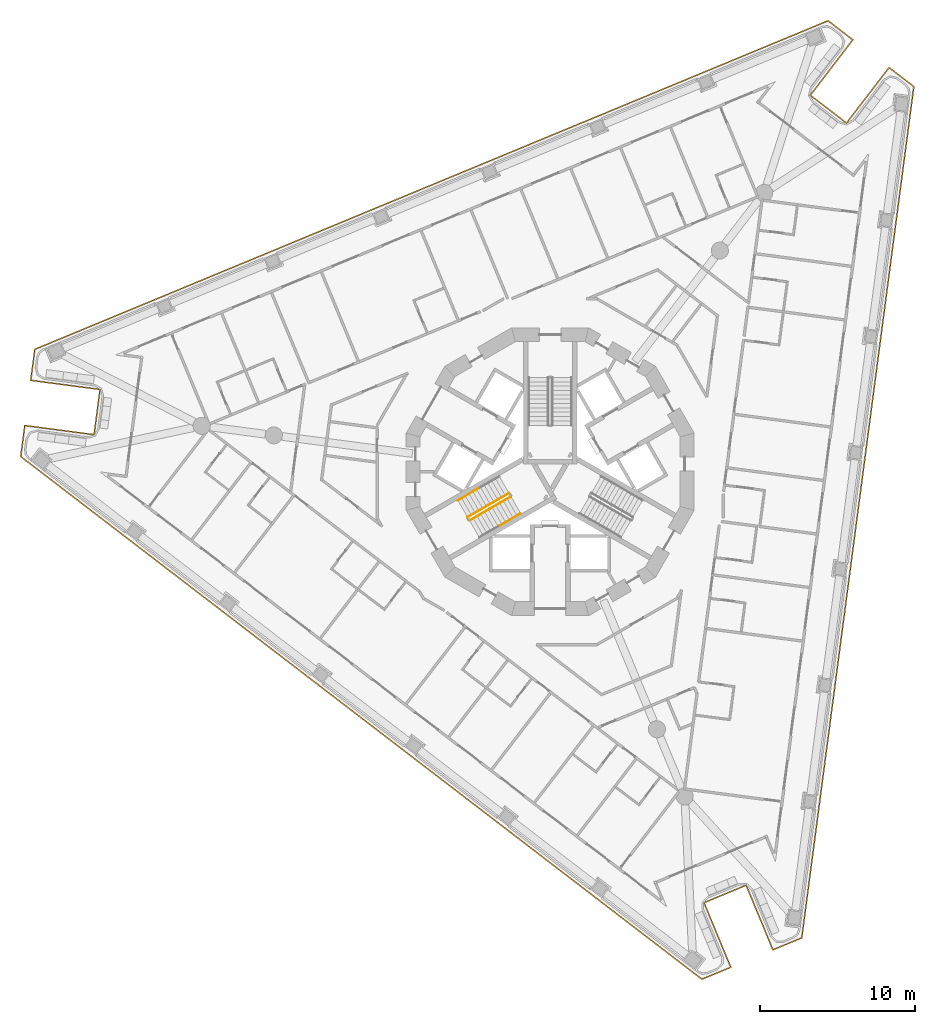
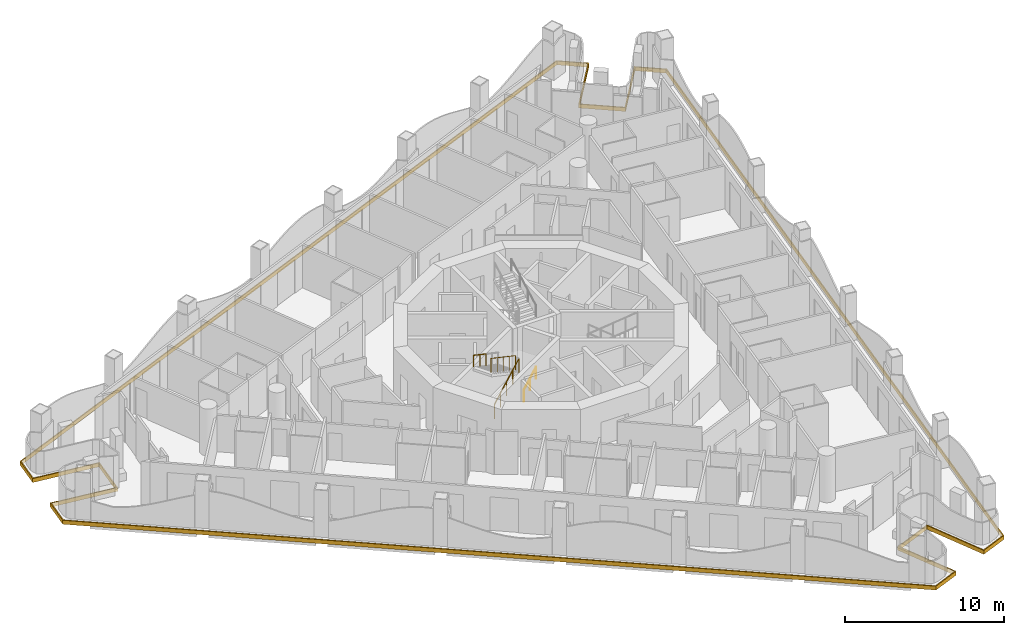
# One storey, part 12 of 17: 4 railings, 1 covering.
"""IFC4 building model written with IfcOpenShell, lengths in metres."""

import ifcopenshell
import ifcopenshell.guid

model = None  # the IFC model being written
_history = None  # IfcOwnerHistory: only IFC2X3 demands one
_inside = {}  # id of a spatial element -> (the spatial element, [elements in it])
_under = {}  # id of a project, library or spatial element -> (it, [spatial elements below it])
_declared = {}  # id of a project -> (the project, [libraries it declares])
_typed = {}  # id of a type object -> (the type object, [elements of that type])
_made_of = {}  # id of a material, layer set ... -> (it, [elements and type objects made of it])


def new_model(schema):
    """Start an empty IFC model of exactly this schema.

    Asked for "IFC4X3", IfcOpenShell would pick the latest addendum, in which some entities
    have other attributes; the version numbers below select the first issue.
    IFC2X3 requires an IfcOwnerHistory on every rooted entity: one is made here for all.
    """
    global model, _history
    if schema == "IFC4X3":
        model = ifcopenshell.file(schema_version=(4, 3, 0, 0))
    else:
        model = ifcopenshell.file(schema=schema)
    _inside.clear()
    _under.clear()
    _declared.clear()
    _typed.clear()
    _made_of.clear()
    _history = None
    if model.schema == "IFC2X3":
        org = make("IfcOrganization", Name="unknown")
        user = make(
            "IfcPersonAndOrganization",
            ThePerson=make("IfcPerson", FamilyName="unknown"),
            TheOrganization=org,
        )
        app = make(
            "IfcApplication",
            ApplicationDeveloper=org,
            Version="unknown",
            ApplicationFullName="unknown",
            ApplicationIdentifier="unknown",
        )
        _history = make(
            "IfcOwnerHistory",
            OwningUser=user,
            OwningApplication=app,
            ChangeAction="ADDED",
            CreationDate=0,
        )
    return model


def make(cls, **values):
    """One entity of the class cls with the attributes given. An attribute that is None is left unset."""
    return model.create_entity(
        cls, **{name: value for name, value in values.items() if value is not None}
    )


def rooted(cls, **values):
    """An entity with a GlobalId (a new one), such as an element, a storey or a relation."""
    return make(cls, GlobalId=ifcopenshell.guid.new(), OwnerHistory=_history, **values)


def si_unit(unit_type, name, prefix=None):
    """IfcSIUnit, for example si_unit("LENGTHUNIT", "METRE", prefix="MILLI")."""
    return make("IfcSIUnit", UnitType=unit_type, Prefix=prefix, Name=name)


def assignment(units):
    """IfcUnitAssignment: the units of a project."""
    return None if units is None else make("IfcUnitAssignment", Units=units)


def point(xyz):
    """IfcCartesianPoint."""
    return None if xyz is None else make("IfcCartesianPoint", Coordinates=xyz)


def direction(xyz):
    """IfcDirection."""
    return None if xyz is None else make("IfcDirection", DirectionRatios=xyz)


def frame(location, z_axis=None, x_axis=None):
    """IfcAxis2Placement3D, a coordinate frame: its origin and axes. An axis left out is left unset."""
    return make(
        "IfcAxis2Placement3D",
        Location=point(location),
        Axis=direction(z_axis),
        RefDirection=direction(x_axis),
    )


def frame_2d(location, x_axis=None):
    """IfcAxis2Placement2D, a coordinate frame in the plane: its origin and x axis."""
    return make(
        "IfcAxis2Placement2D", Location=point(location), RefDirection=direction(x_axis)
    )


def origin():
    """The frame at (0, 0, 0) with its axes left unset."""
    return frame((0.0, 0.0, 0.0))


def origin_2d():
    """The frame at (0, 0) in the plane with its x axis left unset."""
    return frame_2d((0.0, 0.0))


def place(relative_to, where):
    """IfcLocalPlacement: puts the frame where relative to a parent placement (None: the world)."""
    return make(
        "IfcLocalPlacement", PlacementRelTo=relative_to, RelativePlacement=where
    )


def context(
    kind, dimensions, precision=None, world=None, true_north=None, identifier=None
):
    """IfcGeometricRepresentationContext, for example the 3D "Model" context."""
    return make(
        "IfcGeometricRepresentationContext",
        ContextIdentifier=identifier,
        ContextType=kind,
        CoordinateSpaceDimension=dimensions,
        Precision=precision,
        WorldCoordinateSystem=world,
        TrueNorth=true_north,
    )


def subcontext(parent, identifier, kind, view, scale=None):
    """IfcGeometricRepresentationSubContext, for example "Body" below "Model"."""
    return make(
        "IfcGeometricRepresentationSubContext",
        ContextIdentifier=identifier,
        ContextType=kind,
        ParentContext=parent,
        TargetScale=scale,
        TargetView=view,
    )


def project(units=None, contexts=None):
    """IfcProject with its units and contexts."""
    return rooted(
        "IfcProject",
        Name="project",
        RepresentationContexts=contexts,
        UnitsInContext=assignment(units),
    )


def spatial(cls, under=None, at=None, **own):
    """A site, building, storey or space (cls), placed at a placement, below another one or the project."""
    s = rooted(cls, ObjectPlacement=at, **own)
    if under is not None:
        _under.setdefault(under.id(), (under, []))[1].append(s)
    return s


def polyline(points):
    """IfcPolyline through the points."""
    return make("IfcPolyline", Points=[point(p) for p in points])


def profile(cls, at=None, kind="AREA", **sizes):
    """A parametric profile (cls). Its sizes go by their IFC names, for example OverallWidth=200.0."""
    return make(cls, ProfileType=kind, Position=at, **sizes)


def circle(**sizes):
    """IfcCircleProfileDef."""
    return profile("IfcCircleProfileDef", **sizes)


def outline(outer, holes=None, kind="AREA"):
    """IfcArbitraryClosedProfileDef: a profile drawn as a closed curve; with holes, ...WithVoids."""
    if holes is None:
        return make("IfcArbitraryClosedProfileDef", ProfileType=kind, OuterCurve=outer)
    return make(
        "IfcArbitraryProfileDefWithVoids",
        ProfileType=kind,
        OuterCurve=outer,
        InnerCurves=holes,
    )


def extrude(swept, where, along, depth):
    """IfcExtrudedAreaSolid: the profile swept, set in the frame where, extruded along a direction by depth."""
    return make(
        "IfcExtrudedAreaSolid",
        SweptArea=swept,
        Position=where,
        ExtrudedDirection=direction(along),
        Depth=depth,
    )


def shape(context_of_items, identifier, shape_type, items):
    """IfcShapeRepresentation: the items that make up one representation, for example the "Body"."""
    return make(
        "IfcShapeRepresentation",
        ContextOfItems=context_of_items,
        RepresentationIdentifier=identifier,
        RepresentationType=shape_type,
        Items=items,
    )


def material(Name=None, Category=None):
    """IfcMaterial."""
    return make("IfcMaterial", Name=Name, Category=Category)


def layer(
    of_material, thickness, ventilated=None, Name=None, Category=None, Priority=None
):
    """IfcMaterialLayer: one layer of a wall or slab, of a material (None: an air gap)."""
    return make(
        "IfcMaterialLayer",
        Material=of_material,
        LayerThickness=thickness,
        IsVentilated=ventilated,
        Name=Name,
        Category=Category,
        Priority=Priority,
    )


def layer_set(layers, Name=None):
    """IfcMaterialLayerSet."""
    return make("IfcMaterialLayerSet", MaterialLayers=layers, LayerSetName=Name)


def made_of(thing, what):
    """Note that an element or type object is made of a material, layer set ...; save() writes the relation."""
    if what is not None:
        _made_of.setdefault(what.id(), (what, []))[1].append(thing)
    return thing


def type_object(cls, material=None, **own):
    """A type object (cls), such as IfcWallType, which elements share."""
    return made_of(rooted(cls, **own), material)


def element(
    cls,
    number,
    at=None,
    inside=None,
    cuts=None,
    type_object=None,
    material=None,
    context=None,
    identifier="Body",
    shape_type=None,
    held_by="IfcProductDefinitionShape",
    body=None,
    shapes=None,
    **own,
):
    """One element of the class cls, such as IfcWall. Its Tag is "e" and its number.

    at: its placement. inside: the storey or other place that contains it. cuts: it is an
    opening in that element (IfcRelVoidsElement). A single representation is given by context,
    identifier, shape_type and body (its items); several are given by shapes. held_by: the class
    of the entity that holds the representations. save() writes the other relations.
    """
    e = rooted(cls, Tag="e%d" % number, ObjectPlacement=at, **own)
    if body is not None:
        shapes = [shape(context, identifier, shape_type, body)]
    if shapes is not None:
        e.Representation = make(held_by, Representations=shapes)
    if inside is not None:
        _inside.setdefault(inside.id(), (inside, []))[1].append(e)
    if cuts is not None:
        rooted(
            "IfcRelVoidsElement", RelatingBuildingElement=cuts, RelatedOpeningElement=e
        )
    if type_object is not None:
        _typed.setdefault(type_object.id(), (type_object, []))[1].append(e)
    return made_of(e, material)


def aggregate(whole, parts):
    """IfcRelAggregates: a whole, such as a stair, and the parts it consists of."""
    return rooted("IfcRelAggregates", RelatingObject=whole, RelatedObjects=parts)


def save(model, path):
    """Write the relations noted so far, then the file.

    IfcRelAggregates (storeys below a building ...), IfcRelContainedInSpatialStructure (elements
    in a storey), IfcRelDefinesByType, IfcRelAssociatesMaterial and IfcRelDeclares: one each for
    every whole, place, type object, material and project.
    """
    for whole, parts in _under.values():
        aggregate(whole, parts)
    for where, things in _inside.values():
        rooted(
            "IfcRelContainedInSpatialStructure",
            RelatedElements=things,
            RelatingStructure=where,
        )
    for kind, things in _typed.values():
        rooted("IfcRelDefinesByType", RelatedObjects=things, RelatingType=kind)
    for what, things in _made_of.values():
        rooted("IfcRelAssociatesMaterial", RelatedObjects=things, RelatingMaterial=what)
    for by, libraries in _declared.values():
        rooted("IfcRelDeclares", RelatingContext=by, RelatedDefinitions=libraries)
    model.write(path)


model = new_model("IFC4")

# Units and contexts
model_context = context("Model", 3, precision=1e-05, world=origin(), true_north=direction((0.0, 1.0)))
body_context = subcontext(model_context, "Body", "Model", "MODEL_VIEW")
ifc_project = project(units=[si_unit("LENGTHUNIT", "METRE"), si_unit("AREAUNIT", "SQUARE_METRE"), si_unit("VOLUMEUNIT", "CUBIC_METRE"), si_unit("PLANEANGLEUNIT", "RADIAN"), si_unit("MASSUNIT", "GRAM", prefix="KILO")], contexts=[model_context])

# Site, building, storey
site_placement = place(None, origin())
site = spatial("IfcSite", under=ifc_project, at=site_placement, CompositionType="ELEMENT")
building_placement = place(site_placement, origin())
building = spatial("IfcBuilding", under=site, at=building_placement, Name="Trine Commons Tower", CompositionType="ELEMENT")
storey_placement = place(building_placement, frame((0.0, 0.0, 127.800048828125)))
storey = spatial("IfcBuildingStorey", under=building, at=storey_placement, Name="L32", CompositionType="ELEMENT", Elevation=127.800048828125)

# Covering
ifc_material_1 = material(Name="Limestone, honed", Category="masonry")
ifc_layer = layer(ifc_material_1, 0.074951171875)
ifc_layer_set = layer_set([ifc_layer], Name="Limestone, honed")
covering_type = type_object("IfcCoveringType", Name="Limestone spandrel panel 75", PredefinedType="CLADDING", material=ifc_layer_set)
covering_placement = place(storey_placement, frame((0.0, 0.0, -0.300048828125)))
element("IfcCovering", 1, at=covering_placement, inside=storey, type_object=covering_type, Name="Limestone spandrel panel 4-01", PredefinedType="CLADDING", context=body_context, shape_type="SweptSolid", body=[
    extrude(outline(polyline([(92.5986328125, 35.80810546875), (94.32080078125, 31.650634765625), (96.24462890625, 32.447509765625), (103.46923828125, 87.32421875), (101.817138671875, 88.591796875), (99.07763671875, 85.021728515625), (96.816650390625, 86.756591796875), (99.55615234375, 90.326904296875), (97.904052734375, 91.594482421875), (46.76708984375, 70.412841796875), (46.495361328125, 68.348388671875), (50.956787109375, 67.760986328125), (50.584716796875, 64.935302734375), (46.123291015625, 65.522705078125), (45.8515625, 63.4580078125), (89.763671875, 29.762939453125), (91.6875, 30.559814453125), (89.965576171875, 34.71728515625), (92.5986328125, 35.80810546875)]), holes=[polyline([(101.8310546875, 88.48681640625), (103.38916015625, 87.291015625), (96.17578125, 32.500244140625), (94.361328125, 31.74853515625), (92.63916015625, 35.906005859375), (89.867431640625, 34.758056640625), (91.589599609375, 30.6005859375), (89.77490234375, 29.848876953125), (45.931396484375, 63.4912109375), (46.187744140625, 65.4384765625), (50.6494140625, 64.85107421875), (51.041015625, 67.825439453125), (46.579345703125, 68.412841796875), (46.835693359375, 70.360107421875), (97.892578125, 91.508544921875), (99.450927734375, 90.31298828125), (96.71142578125, 86.742919921875), (99.091552734375, 84.91650390625), (101.8310546875, 88.48681640625)])]), origin(), (0.0, 0.0, 1.0), 0.300048828125),
])

# Railings
ifc_material_2 = material(Name="Stainless steel balustrade", Category="steel")
railing_type_1 = type_object("IfcRailingType", Name="Stair guard, steel balustrade 1100", PredefinedType="GUARDRAIL", material=ifc_material_2)
railing_1_placement = place(storey_placement, frame((74.80517578125, 59.3564453125, 0.14990234375)))
element("IfcRailing", 2, at=railing_1_placement, inside=storey, type_object=railing_type_1, Name="L32 ST2B stair guard 1", PredefinedType="GUARDRAIL", context=body_context, shape_type="SweptSolid", body=[
    extrude(circle(Radius=0.02392578125, at=origin_2d()), frame((0.0, 0.0, 1.076171875), z_axis=(0.763379768245, 0.440728498818, 0.472239049384), x_axis=(-0.499992328818, 0.866029832698, 0.0)), (0.0, 0.0, 1.0), 3.494384765625),
    extrude(circle(Radius=0.02099609375, at=origin_2d()), origin(), (0.0, 0.0, 1.0), 1.052001953125),
    extrude(circle(Radius=0.02099609375, at=origin_2d()), frame((0.6669921875, 0.385009765625, 0.41259765625)), (0.0, 0.0, 1.0), 1.052001953125),
    extrude(circle(Radius=0.02099609375, at=origin_2d()), frame((1.333740234375, 0.77001953125, 0.8251953125)), (0.0, 0.0, 1.0), 1.052001953125),
    extrude(circle(Radius=0.02099609375, at=origin_2d()), frame((2.00048828125, 1.155029296875, 1.237548828125)), (0.0, 0.0, 1.0), 1.052001953125),
    extrude(circle(Radius=0.02099609375, at=origin_2d()), frame((2.66748046875, 1.5400390625, 1.650146484375)), (0.0, 0.0, 1.0), 1.052001953125),
])
railing_2_placement = place(storey_placement, frame((77.34765625, 61.113037109375, 1.949951171875)))
element("IfcRailing", 3, at=railing_2_placement, inside=storey, type_object=railing_type_1, Name="L32 ST2B stair guard 3", PredefinedType="GUARDRAIL", context=body_context, shape_type="SweptSolid", body=[
    extrude(circle(Radius=0.02392578125, at=origin_2d()), frame((0.0, 0.0, 1.076171875), z_axis=(-0.76340495495, -0.440743040072, 0.472184759798), x_axis=(0.499992328818, -0.866029832698, 0.0)), (0.0, 0.0, 1.0), 3.494140625),
    extrude(circle(Radius=0.02099609375, at=origin_2d()), origin(), (0.0, 0.0, 1.0), 1.052001953125),
    extrude(circle(Radius=0.02099609375, at=origin_2d()), frame((-0.6669921875, -0.385009765625, 0.41259765625)), (0.0, 0.0, 1.0), 1.052001953125),
    extrude(circle(Radius=0.02099609375, at=origin_2d()), frame((-1.333740234375, -0.77001953125, 0.824951171875)), (0.0, 0.0, 1.0), 1.052001953125),
    extrude(circle(Radius=0.02099609375, at=origin_2d()), frame((-2.00048828125, -1.155029296875, 1.2373046875)), (0.0, 0.0, 1.0), 1.052001953125),
    extrude(circle(Radius=0.02099609375, at=origin_2d()), frame((-2.66748046875, -1.5400390625, 1.64990234375)), (0.0, 0.0, 1.0), 1.052001953125),
])
ifc_material_3 = material(Name="Stainless steel handrail", Category="steel")
railing_type_2 = type_object("IfcRailingType", Name="Stair handrail, steel 900", PredefinedType="HANDRAIL", material=ifc_material_3)
railing_3_placement = place(storey_placement, frame((76.763916015625, 59.0439453125, 0.974853515625)))
element("IfcRailing", 4, at=railing_3_placement, inside=storey, type_object=railing_type_2, Name="L32 ST2B stair handrail 2", PredefinedType="HANDRAIL", context=body_context, shape_type="SweptSolid", body=[
    extrude(circle(Radius=0.02099609375, at=origin_2d()), frame((0.0, 0.0, 0.87890625), z_axis=(0.763354580307, 0.440713956853, 0.472293333596), x_axis=(-0.499992328818, 0.866029832698, 0.0)), (0.0, 0.0, 1.0), 1.747314453125),
    extrude(circle(Radius=0.01513671875, at=origin_2d()), origin(), (0.0, 0.0, 1.0), 0.85791015625),
    extrude(circle(Radius=0.01513671875, at=origin_2d()), frame((0.6669921875, 0.385009765625, 0.41259765625)), (0.0, 0.0, 1.0), 0.85791015625),
    extrude(circle(Radius=0.01513671875, at=origin_2d()), frame((1.333740234375, 0.77001953125, 0.8251953125)), (0.0, 0.0, 1.0), 0.85791015625),
])
railing_4_placement = place(storey_placement, frame((75.388916015625, 61.425537109375, 2.77490234375)))
element("IfcRailing", 5, at=railing_4_placement, inside=storey, type_object=railing_type_2, Name="L32 ST2B stair handrail 4", PredefinedType="HANDRAIL", context=body_context, shape_type="SweptSolid", body=[
    extrude(circle(Radius=0.02099609375, at=origin_2d()), frame((0.0, 0.0, 0.87890625), z_axis=(-0.76340495495, -0.440743040072, 0.472184759798), x_axis=(0.499992328818, -0.866029832698, 0.0)), (0.0, 0.0, 1.0), 1.7470703125),
    extrude(circle(Radius=0.01513671875, at=origin_2d()), origin(), (0.0, 0.0, 1.0), 0.85791015625),
    extrude(circle(Radius=0.01513671875, at=origin_2d()), frame((-0.6669921875, -0.385009765625, 0.41259765625)), (0.0, 0.0, 1.0), 0.85791015625),
    extrude(circle(Radius=0.01513671875, at=origin_2d()), frame((-1.333740234375, -0.77001953125, 0.824951171875)), (0.0, 0.0, 1.0), 0.85791015625),
])

save(model, "model.ifc")
